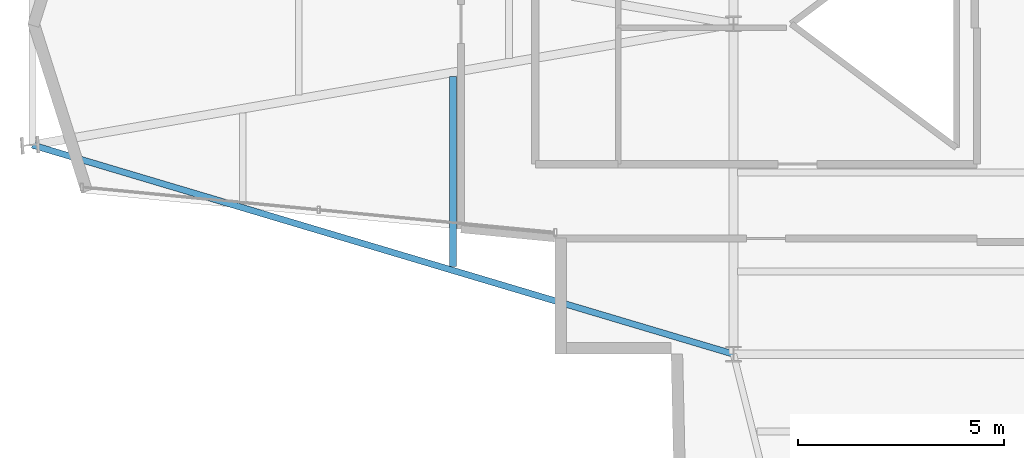
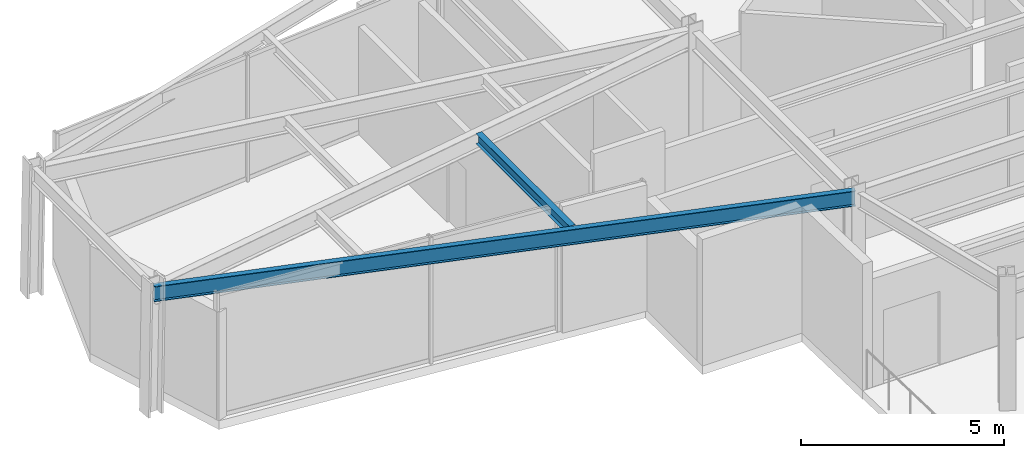
# One storey, part 3 of 18: 2 beams.
"""IFC4 building model written with IfcOpenShell, lengths in metres."""

from ifc_helpers import new_model, si_unit, direction, frame, origin, origin_2d, place, context, subcontext, project, spatial, i_section, extrude, material, material_profile, profile_set, type_object, element, save


model = new_model("IFC4")

# Units and contexts
model_context = context("Model", 3, precision=1e-05, world=origin(), true_north=direction((0.0, 1.0)))
body_context = subcontext(model_context, "Body", "Model", "MODEL_VIEW")
ifc_project = project(units=[si_unit("LENGTHUNIT", "METRE"), si_unit("AREAUNIT", "SQUARE_METRE"), si_unit("VOLUMEUNIT", "CUBIC_METRE"), si_unit("PLANEANGLEUNIT", "RADIAN"), si_unit("MASSUNIT", "GRAM", prefix="KILO")], contexts=[model_context])

# Site, building, storey
site_placement = place(None, origin())
site = spatial("IfcSite", under=ifc_project, at=site_placement, CompositionType="ELEMENT")
building_placement = place(site_placement, origin())
building = spatial("IfcBuilding", under=site, at=building_placement, Name="Veymaron Broadcast Tower", CompositionType="ELEMENT")
storey_placement = place(building_placement, frame((0.0, 0.0, 236.39990234375)))
storey = spatial("IfcBuildingStorey", under=building, at=storey_placement, Name="L55", CompositionType="ELEMENT", Elevation=236.39990234375)

# Beams
ifc_material = material(Name="Structural steel ASTM A992 Gr 50", Category="steel")
ifc_material_profile_1 = material_profile(ifc_material, i_section(OverallWidth=0.1650390625, OverallDepth=0.31005859375, WebThickness=0.005859375, FlangeThickness=0.009765625, at=origin_2d()), Name="W310X39")
ifc_profile_set_1 = profile_set([ifc_material_profile_1], Name="Structural steel ASTM A992 Gr 50")
beam_type_1 = type_object("IfcBeamType", Name="BM-JS3", PredefinedType="JOIST", material=ifc_profile_set_1)
beam_1_placement = place(storey_placement, frame((24.40673828125, 18.1259765625, 3.635009765625), z_axis=(0.0, 1.0, 0.0), x_axis=(-1.0, 0.0, 0.0)))
element("IfcBeam", 1, at=beam_1_placement, inside=storey, type_object=beam_type_1, Name="L55 Arm-A secondary joist 2S", PredefinedType="JOIST", context=body_context, shape_type="SweptSolid", body=[
    extrude(i_section(OverallWidth=0.1650390625, OverallDepth=0.31005859375, WebThickness=0.005859375, FlangeThickness=0.009765625, at=origin_2d()), origin(), (0.0, 0.0, 1.0), 4.60009765625),
])
ifc_material_profile_2 = material_profile(ifc_material, i_section(OverallWidth=0.154052734375, OverallDepth=0.458984375, WebThickness=0.009033203125, FlangeThickness=0.015380859375, at=origin_2d()), Name="W460X68")
ifc_profile_set_2 = profile_set([ifc_material_profile_2], Name="Structural steel ASTM A992 Gr 50")
beam_type_2 = type_object("IfcBeamType", Name="BM-SP2", PredefinedType="SPANDREL", material=ifc_profile_set_2)
beam_2_placement = place(storey_placement, frame((14.217041015625, 21.06494140625, 3.560546875), z_axis=(0.958289878942, -0.285798019443, 0.0), x_axis=(0.285798019443, 0.958289878942, 0.0)))
element("IfcBeam", 2, at=beam_2_placement, inside=storey, type_object=beam_type_2, Name="L55 primary structural floor girder", PredefinedType="SPANDREL", context=body_context, shape_type="SweptSolid", body=[
    extrude(i_section(OverallWidth=0.154052734375, OverallDepth=0.458984375, WebThickness=0.009033203125, FlangeThickness=0.015380859375, at=origin_2d()), origin(), (0.0, 0.0, 1.0), 17.72216796875),
])

save(model, "model.ifc")
